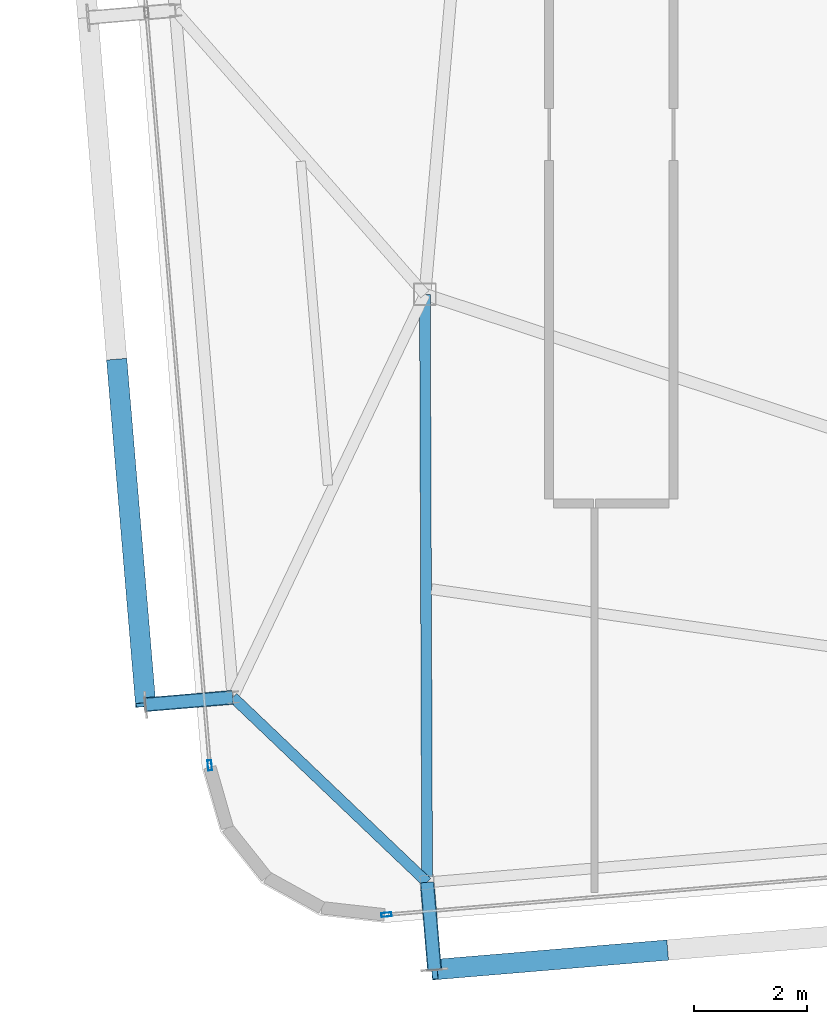
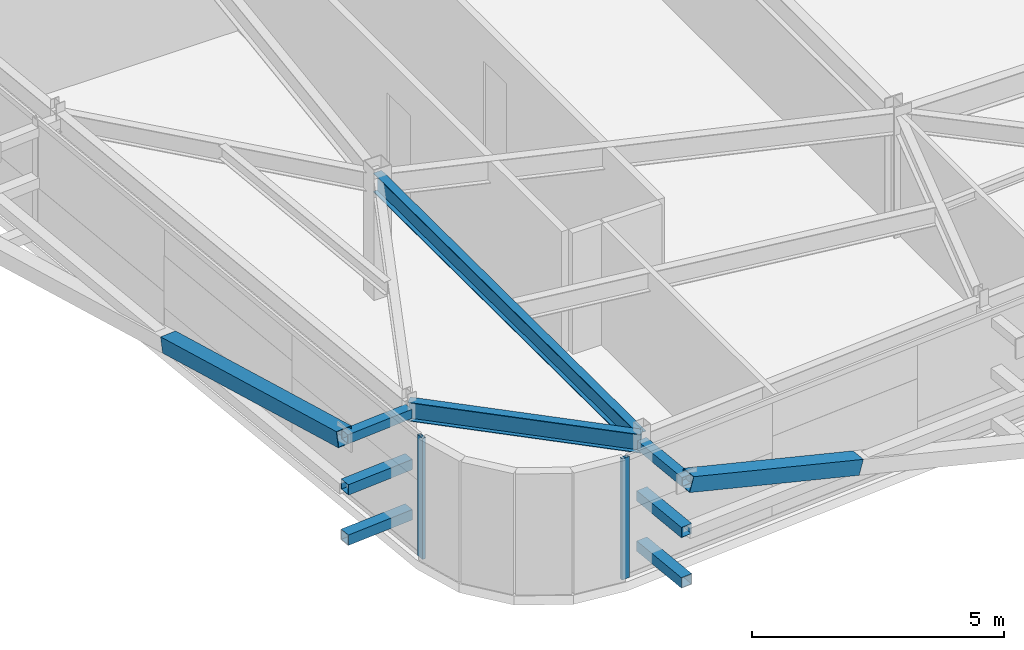
# One storey, part 7 of 37: 10 members, 2 beams, 2 elements without a shape of their own.
"""IFC4 building model written with IfcOpenShell, lengths in metres."""

from ifc_helpers import new_model, si_unit, direction, frame, origin, origin_2d, place, context, subcontext, project, spatial, hollow_rectangle, i_section, extrude, source, transform, mapped, material, layer, layer_set, material_profile, profile_set, type_object, element, aggregate, save


model = new_model("IFC4")

# Units and contexts
model_context = context("Model", 3, precision=1e-05, world=origin(), true_north=direction((0.0, 1.0)))
body_context = subcontext(model_context, "Body", "Model", "MODEL_VIEW")
ifc_project = project(units=[si_unit("LENGTHUNIT", "METRE"), si_unit("AREAUNIT", "SQUARE_METRE"), si_unit("VOLUMEUNIT", "CUBIC_METRE"), si_unit("PLANEANGLEUNIT", "RADIAN"), si_unit("MASSUNIT", "GRAM", prefix="KILO")], contexts=[model_context])

# Site, building, storey
site_placement = place(None, origin())
site = spatial("IfcSite", under=ifc_project, at=site_placement, CompositionType="ELEMENT")
building_placement = place(site_placement, origin())
building = spatial("IfcBuilding", under=site, at=building_placement, Name="Taldren Reach Tower", CompositionType="ELEMENT")
storey_placement = place(building_placement, frame((0.0, 0.0, 182.0)))
storey = spatial("IfcBuildingStorey", under=building, at=storey_placement, Name="L55", CompositionType="ELEMENT", Elevation=182.0)

# Members
ifc_material_1 = material(Name="Steel Gr 350 (C350L0)", Category="steel")
ifc_material_profile_1 = material_profile(ifc_material_1, hollow_rectangle(XDim=0.25, YDim=0.25, WallThickness=0.010009765625, at=origin_2d()), Name="250x250x10.0SHS")
ifc_profile_set_1 = profile_set([ifc_material_profile_1], Name="Steel Gr 350 (C350L0)")
member_type_1 = type_object("IfcMemberType", Name="MB-POST250", PredefinedType="POST", material=ifc_profile_set_1)
shared_shape_1 = source(origin(), body_context, "Body", "SweptSolid", [
    extrude(hollow_rectangle(XDim=0.25, YDim=0.25, WallThickness=0.010009765625, at=origin_2d()), origin(), (0.0, 0.0, 1.0), 1.5498046875),
])
for number, where, z_axis, x_axis, name in (
    (1, (18.03955078125, 2.093994140625, 0.219970703125), (0.083801560254, -0.996482462715, 0.0), (0.996482462715, 0.083801560254, 0.0), "Exoskeleton base diaphragm tie strut B4-S1 L55"),
    (2, (18.03955078125, 2.093994140625, 1.43505859375), (0.083801560254, -0.996482462715, 0.0), (0.996482462715, 0.083801560254, 0.0), "Exoskeleton mid-tier diaphragm tie B4-S1 L55"),
):
    element("IfcMember", number, at=place(storey_placement, frame(where, z_axis=z_axis, x_axis=x_axis)), inside=storey, type_object=member_type_1, Name=name, PredefinedType="POST", context=body_context, shape_type="MappedRepresentation", body=[
        mapped(shared_shape_1, transform((0.0, 0.0, 0.0), scale=1.0)),
    ])

# Beams
ifc_material_2 = material(Name="Steel Gr 350 (350PLUS)", Category="steel")
ifc_material_profile_2 = material_profile(ifc_material_2, i_section(OverallWidth=0.18994140625, OverallDepth=0.4541015625, WebThickness=0.008544921875, FlangeThickness=0.0126953125, at=origin_2d()), Name="460UB67.1")
ifc_profile_set_2 = profile_set([ifc_material_profile_2], Name="Steel Gr 350 (350PLUS)")
beam_type_1 = type_object("IfcBeamType", Name="SP-UB460B", PredefinedType="SPANDREL", material=ifc_profile_set_2)
shared_shape_2 = source(origin(), body_context, "Body", "SweptSolid", [
    extrude(i_section(OverallWidth=0.18994140625, OverallDepth=0.4541015625, WebThickness=0.008544921875, FlangeThickness=0.0126953125, at=origin_2d()), origin(), (0.0, 0.0, 1.0), 4.745849609375),
])
beam_1_placement = place(storey_placement, frame((14.603759765625, 5.367919921875, 2.702880859375), z_axis=(0.723954399605, -0.689847829084, 0.0), x_axis=(0.689847829084, 0.723954399605, 0.0)))
element("IfcBeam", 3, at=beam_1_placement, inside=storey, type_object=beam_type_1, Name="Perimeter spandrel B4 W1-S1 L55", PredefinedType="SPANDREL", context=body_context, shape_type="MappedRepresentation", body=[
    mapped(shared_shape_2, transform((0.0, 0.0, 0.0), scale=1.0)),
])
ifc_material_profile_3 = material_profile(ifc_material_2, i_section(OverallWidth=0.19091796875, OverallDepth=0.4599609375, WebThickness=0.010009765625, FlangeThickness=0.01611328125, at=origin_2d()), Name="460UB82.1")
ifc_profile_set_3 = profile_set([ifc_material_profile_3], Name="Steel Gr 350 (350PLUS)")
beam_type_2 = type_object("IfcBeamType", Name="BM-UB460A", PredefinedType="BEAM", material=ifc_profile_set_3)
shared_shape_3 = source(origin(), body_context, "Body", "SweptSolid", [
    extrude(i_section(OverallWidth=0.19091796875, OverallDepth=0.4599609375, WebThickness=0.010009765625, FlangeThickness=0.01611328125, at=origin_2d()), origin(), (0.0, 0.0, 1.0), 10.406005859375),
])
beam_2_placement = place(storey_placement, frame((18.0, 12.5, 2.699951171875), z_axis=(0.003800737393, -0.999992777172, 0.0), x_axis=(0.999992777172, 0.003800737393, 0.0)))
element("IfcBeam", 4, at=beam_2_placement, inside=storey, type_object=beam_type_2, Name="Primary floor girder B4-S1 L55", PredefinedType="BEAM", context=body_context, shape_type="MappedRepresentation", body=[
    mapped(shared_shape_3, transform((0.0, 0.0, 0.0), scale=1.0)),
])

# Members
ifc_material_3 = material(Name="Steel Gr 450 (C450L0)", Category="steel")
ifc_material_profile_4 = material_profile(ifc_material_3, hollow_rectangle(XDim=0.219970703125, YDim=0.219970703125, WallThickness=0.00830078125, at=origin_2d()), Name="220x220x8.2SHS")
ifc_profile_set_4 = profile_set([ifc_material_profile_4], Name="Steel Gr 450 (C450L0)")
member_type_2 = type_object("IfcMemberType", Name="MB-TIE219", PredefinedType="STRUT", material=ifc_profile_set_4)
shared_shape_4 = source(origin(), body_context, "Body", "SweptSolid", [
    extrude(hollow_rectangle(XDim=0.219970703125, YDim=0.219970703125, WallThickness=0.00830078125, at=origin_2d()), origin(), (0.0, 0.0, 1.0), 1.5498046875),
])
member_1_placement = place(storey_placement, frame((18.03955078125, 2.093994140625, 2.64990234375), z_axis=(0.083801560254, -0.996482462715, 0.0), x_axis=(0.996482462715, 0.083801560254, 0.0)))
element("IfcMember", 5, at=member_1_placement, inside=storey, type_object=member_type_2, Name="Exoskeleton diaphragm tie strut B4-S1 L55", PredefinedType="STRUT", context=body_context, shape_type="MappedRepresentation", body=[
    mapped(shared_shape_4, transform((0.0, 0.0, 0.0), scale=1.0)),
])
shared_shape_5 = source(origin(), body_context, "Body", "SweptSolid", [
    extrude(hollow_rectangle(XDim=0.219970703125, YDim=0.219970703125, WallThickness=0.00830078125, at=origin_2d()), origin(), (0.0, 0.0, 1.0), 1.54541015625),
])
member_2_placement = place(storey_placement, frame((14.59912109375, 5.36767578125, 2.64990234375), z_axis=(-0.99648887425, -0.083725285883, 0.0), x_axis=(0.083725285883, -0.99648887425, 0.0)))
element("IfcMember", 6, at=member_2_placement, inside=storey, type_object=member_type_2, Name="Exoskeleton diaphragm tie strut B4-W1 L55", PredefinedType="STRUT", context=body_context, shape_type="MappedRepresentation", body=[
    mapped(shared_shape_5, transform((0.0, 0.0, 0.0), scale=1.0)),
])
shared_shape_6 = source(origin(), body_context, "Body", "SweptSolid", [
    extrude(hollow_rectangle(XDim=0.25, YDim=0.25, WallThickness=0.010009765625, at=origin_2d()), origin(), (0.0, 0.0, 1.0), 1.54541015625),
])
for number, where, z_axis, x_axis, name in (
    (7, (14.59912109375, 5.36767578125, 0.219970703125), (-0.99648887425, -0.083725285883, 0.0), (0.083725285883, -0.99648887425, 0.0), "Exoskeleton base diaphragm tie strut B4-W1 L55"),
    (8, (14.59912109375, 5.36767578125, 1.43505859375), (-0.99648887425, -0.083725285883, 0.0), (0.083725285883, -0.99648887425, 0.0), "Exoskeleton mid-tier diaphragm tie B4-W1 L55"),
):
    element("IfcMember", number, at=place(storey_placement, frame(where, z_axis=z_axis, x_axis=x_axis)), inside=storey, type_object=member_type_1, Name=name, PredefinedType="POST", context=body_context, shape_type="MappedRepresentation", body=[
        mapped(shared_shape_6, transform((0.0, 0.0, 0.0), scale=1.0)),
    ])
ifc_material_profile_5 = material_profile(ifc_material_3, hollow_rectangle(XDim=0.360107421875, YDim=0.360107421875, WallThickness=0.0126953125, at=origin_2d()), Name="360x360x12.7SHS")
ifc_profile_set_5 = profile_set([ifc_material_profile_5], Name="Steel Gr 450 (C450L0)")
member_type_3 = type_object("IfcMemberType", Name="MB-EXO356", PredefinedType="BRACE", material=ifc_profile_set_5)
shared_shape_7 = source(origin(), body_context, "Body", "SweptSolid", [
    extrude(hollow_rectangle(XDim=0.360107421875, YDim=0.360107421875, WallThickness=0.0126953125, at=origin_2d()), origin(), (0.0, 0.0, 1.0), 4.2666015625),
])
member_3_placement = place(storey_placement, frame((22.2451171875, 0.8916015625, 1.43505859375), z_axis=(-0.955249107127, -0.080166766448, 0.284732212595), x_axis=(0.083628388178, -0.996497010879, 0.0)))
element("IfcMember", 9, at=member_3_placement, inside=storey, type_object=member_type_3, Name="Exoskeleton Diagrid Brace B4-S1 L55", PredefinedType="BRACE", context=body_context, shape_type="MappedRepresentation", body=[
    mapped(shared_shape_7, transform((0.0, 0.0, 0.0), scale=1.0)),
])
shared_shape_8 = source(origin(), body_context, "Body", "SweptSolid", [
    extrude(hollow_rectangle(XDim=0.360107421875, YDim=0.360107421875, WallThickness=0.0126953125, at=origin_2d()), origin(), (0.0, 0.0, 1.0), 6.2197265625),
])
member_4_placement = place(storey_placement, frame((12.548583984375, 11.31689453125, 1.43505859375), z_axis=(0.082076194186, -0.977299417909, 0.19531857593), x_axis=(0.996492003099, 0.083688038336, 0.0)))
element("IfcMember", 10, at=member_4_placement, inside=storey, type_object=member_type_3, Name="Exoskeleton Diagrid Brace B4-W1 L55", PredefinedType="BRACE", context=body_context, shape_type="MappedRepresentation", body=[
    mapped(shared_shape_8, transform((0.0, 0.0, 0.0), scale=1.0)),
])

# Curtain wall, member
ifc_material_4 = material(Name="Aluminium and Low-E Glass Unitised System", Category="aluminium")
ifc_layer = layer(ifc_material_4, 0.159912109375)
ifc_layer_set = layer_set([ifc_layer], Name="Aluminium and Low-E Glass Unitised System")
curtain_wall_type = type_object("IfcCurtainWallType", Name="CW-SYS-5", PredefinedType="NOTDEFINED", material=ifc_layer_set)
curtain_wall_1_placement = place(storey_placement, origin())
curtain_wall_1 = element("IfcCurtainWall", 11, at=curtain_wall_1_placement, inside=storey, type_object=curtain_wall_type, Name="Unitised curtain wall CW-L55-S", PredefinedType="NOTDEFINED")
ifc_material_5 = material(Name="Anodised Aluminium 6063-T6", Category="aluminium")
ifc_material_profile_6 = material_profile(ifc_material_5, hollow_rectangle(XDim=0.070068359375, YDim=0.179931640625, WallThickness=0.00390625, at=origin_2d()), Name="ALU-180x70x4RHS")
ifc_profile_set_6 = profile_set([ifc_material_profile_6], Name="Anodised Aluminium 6063-T6")
member_type_4 = type_object("IfcMemberType", Name="CW-MUL-180", PredefinedType="MULLION", material=ifc_profile_set_6)
shared_shape_9 = source(origin(), body_context, "Body", "SweptSolid", [
    extrude(hollow_rectangle(XDim=0.070068359375, YDim=0.179931640625, WallThickness=0.00390625, at=origin_2d()), origin(), (0.0, 0.0, 1.0), 2.929931640625),
])
member_5_placement = place(storey_placement, frame((17.320068359375, 1.521728515625, 0.0), z_axis=(0.0, 0.0, 1.0), x_axis=(-0.083677894865, 0.996492854922, 0.0)))
member_5 = element("IfcMember", 12, at=member_5_placement, type_object=member_type_4, Name="CW-5 mullion 1", PredefinedType="MULLION", context=body_context, shape_type="MappedRepresentation", body=[
    mapped(shared_shape_9, transform((0.0, 0.0, 0.0), scale=1.0)),
])
aggregate(curtain_wall_1, [member_5])

curtain_wall_2_placement = place(storey_placement, origin())
curtain_wall_2 = element("IfcCurtainWall", 13, at=curtain_wall_2_placement, inside=storey, type_object=curtain_wall_type, Name="Unitised curtain wall CW-L55-W", PredefinedType="NOTDEFINED")
member_6_placement = place(storey_placement, frame((14.19287109375, 4.164306640625, 0.0), z_axis=(0.0, 0.0, 1.0), x_axis=(0.996492847789, 0.083677979808, 0.0)))
member_6 = element("IfcMember", 14, at=member_6_placement, type_object=member_type_4, Name="CW-5 mullion 3", PredefinedType="MULLION", context=body_context, shape_type="MappedRepresentation", body=[
    mapped(shared_shape_9, transform((0.0, 0.0, 0.0), scale=1.0)),
])
aggregate(curtain_wall_2, [member_6])

save(model, "model.ifc")
